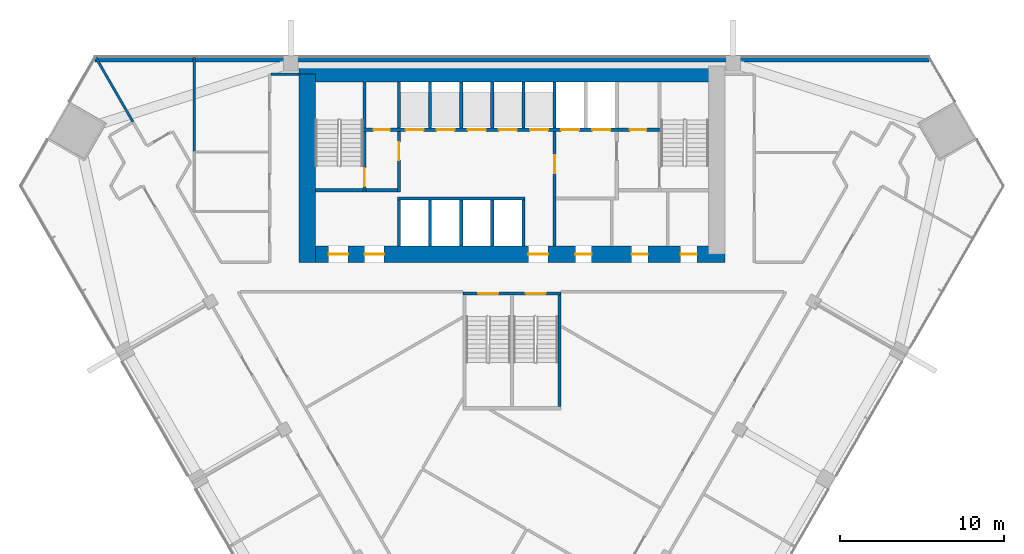
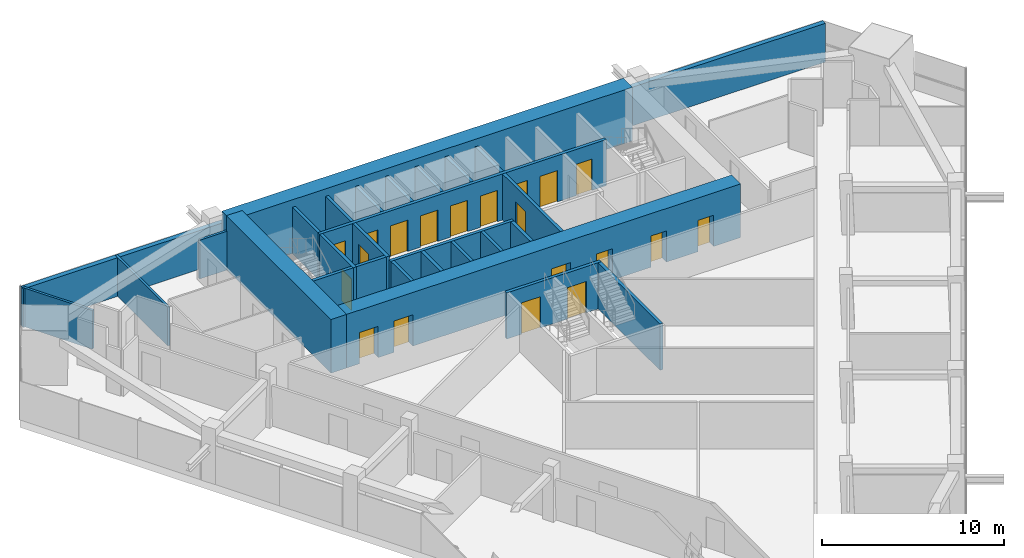
# One storey, part 10 of 13: 28 walls, 20 doors, 20 openings.
"""IFC4 building model written with IfcOpenShell, lengths in metres."""

import ifcopenshell
import ifcopenshell.guid

model = None  # the IFC model being written
_history = None  # IfcOwnerHistory: only IFC2X3 demands one
_inside = {}  # id of a spatial element -> (the spatial element, [elements in it])
_under = {}  # id of a project, library or spatial element -> (it, [spatial elements below it])
_declared = {}  # id of a project -> (the project, [libraries it declares])
_typed = {}  # id of a type object -> (the type object, [elements of that type])
_made_of = {}  # id of a material, layer set ... -> (it, [elements and type objects made of it])


def new_model(schema):
    """Start an empty IFC model of exactly this schema.

    Asked for "IFC4X3", IfcOpenShell would pick the latest addendum, in which some entities
    have other attributes; the version numbers below select the first issue.
    IFC2X3 requires an IfcOwnerHistory on every rooted entity: one is made here for all.
    """
    global model, _history
    if schema == "IFC4X3":
        model = ifcopenshell.file(schema_version=(4, 3, 0, 0))
    else:
        model = ifcopenshell.file(schema=schema)
    _inside.clear()
    _under.clear()
    _declared.clear()
    _typed.clear()
    _made_of.clear()
    _history = None
    if model.schema == "IFC2X3":
        org = make("IfcOrganization", Name="unknown")
        user = make(
            "IfcPersonAndOrganization",
            ThePerson=make("IfcPerson", FamilyName="unknown"),
            TheOrganization=org,
        )
        app = make(
            "IfcApplication",
            ApplicationDeveloper=org,
            Version="unknown",
            ApplicationFullName="unknown",
            ApplicationIdentifier="unknown",
        )
        _history = make(
            "IfcOwnerHistory",
            OwningUser=user,
            OwningApplication=app,
            ChangeAction="ADDED",
            CreationDate=0,
        )
    return model


def make(cls, **values):
    """One entity of the class cls with the attributes given. An attribute that is None is left unset."""
    return model.create_entity(
        cls, **{name: value for name, value in values.items() if value is not None}
    )


def rooted(cls, **values):
    """An entity with a GlobalId (a new one), such as an element, a storey or a relation."""
    return make(cls, GlobalId=ifcopenshell.guid.new(), OwnerHistory=_history, **values)


def si_unit(unit_type, name, prefix=None):
    """IfcSIUnit, for example si_unit("LENGTHUNIT", "METRE", prefix="MILLI")."""
    return make("IfcSIUnit", UnitType=unit_type, Prefix=prefix, Name=name)


def assignment(units):
    """IfcUnitAssignment: the units of a project."""
    return None if units is None else make("IfcUnitAssignment", Units=units)


def point(xyz):
    """IfcCartesianPoint."""
    return None if xyz is None else make("IfcCartesianPoint", Coordinates=xyz)


def direction(xyz):
    """IfcDirection."""
    return None if xyz is None else make("IfcDirection", DirectionRatios=xyz)


def frame(location, z_axis=None, x_axis=None):
    """IfcAxis2Placement3D, a coordinate frame: its origin and axes. An axis left out is left unset."""
    return make(
        "IfcAxis2Placement3D",
        Location=point(location),
        Axis=direction(z_axis),
        RefDirection=direction(x_axis),
    )


def frame_2d(location, x_axis=None):
    """IfcAxis2Placement2D, a coordinate frame in the plane: its origin and x axis."""
    return make(
        "IfcAxis2Placement2D", Location=point(location), RefDirection=direction(x_axis)
    )


def origin():
    """The frame at (0, 0, 0) with its axes left unset."""
    return frame((0.0, 0.0, 0.0))


def place(relative_to, where):
    """IfcLocalPlacement: puts the frame where relative to a parent placement (None: the world)."""
    return make(
        "IfcLocalPlacement", PlacementRelTo=relative_to, RelativePlacement=where
    )


def context(
    kind, dimensions, precision=None, world=None, true_north=None, identifier=None
):
    """IfcGeometricRepresentationContext, for example the 3D "Model" context."""
    return make(
        "IfcGeometricRepresentationContext",
        ContextIdentifier=identifier,
        ContextType=kind,
        CoordinateSpaceDimension=dimensions,
        Precision=precision,
        WorldCoordinateSystem=world,
        TrueNorth=true_north,
    )


def subcontext(parent, identifier, kind, view, scale=None):
    """IfcGeometricRepresentationSubContext, for example "Body" below "Model"."""
    return make(
        "IfcGeometricRepresentationSubContext",
        ContextIdentifier=identifier,
        ContextType=kind,
        ParentContext=parent,
        TargetScale=scale,
        TargetView=view,
    )


def project(units=None, contexts=None):
    """IfcProject with its units and contexts."""
    return rooted(
        "IfcProject",
        Name="project",
        RepresentationContexts=contexts,
        UnitsInContext=assignment(units),
    )


def spatial(cls, under=None, at=None, **own):
    """A site, building, storey or space (cls), placed at a placement, below another one or the project."""
    s = rooted(cls, ObjectPlacement=at, **own)
    if under is not None:
        _under.setdefault(under.id(), (under, []))[1].append(s)
    return s


def profile(cls, at=None, kind="AREA", **sizes):
    """A parametric profile (cls). Its sizes go by their IFC names, for example OverallWidth=200.0."""
    return make(cls, ProfileType=kind, Position=at, **sizes)


def rectangle(**sizes):
    """IfcRectangleProfileDef."""
    return profile("IfcRectangleProfileDef", **sizes)


def extrude(swept, where, along, depth):
    """IfcExtrudedAreaSolid: the profile swept, set in the frame where, extruded along a direction by depth."""
    return make(
        "IfcExtrudedAreaSolid",
        SweptArea=swept,
        Position=where,
        ExtrudedDirection=direction(along),
        Depth=depth,
    )


def shape(context_of_items, identifier, shape_type, items):
    """IfcShapeRepresentation: the items that make up one representation, for example the "Body"."""
    return make(
        "IfcShapeRepresentation",
        ContextOfItems=context_of_items,
        RepresentationIdentifier=identifier,
        RepresentationType=shape_type,
        Items=items,
    )


def material(Name=None, Category=None):
    """IfcMaterial."""
    return make("IfcMaterial", Name=Name, Category=Category)


def layer(
    of_material, thickness, ventilated=None, Name=None, Category=None, Priority=None
):
    """IfcMaterialLayer: one layer of a wall or slab, of a material (None: an air gap)."""
    return make(
        "IfcMaterialLayer",
        Material=of_material,
        LayerThickness=thickness,
        IsVentilated=ventilated,
        Name=Name,
        Category=Category,
        Priority=Priority,
    )


def layer_set(layers, Name=None):
    """IfcMaterialLayerSet."""
    return make("IfcMaterialLayerSet", MaterialLayers=layers, LayerSetName=Name)


def made_of(thing, what):
    """Note that an element or type object is made of a material, layer set ...; save() writes the relation."""
    if what is not None:
        _made_of.setdefault(what.id(), (what, []))[1].append(thing)
    return thing


def type_object(cls, material=None, **own):
    """A type object (cls), such as IfcWallType, which elements share."""
    return made_of(rooted(cls, **own), material)


def element(
    cls,
    number,
    at=None,
    inside=None,
    cuts=None,
    type_object=None,
    material=None,
    context=None,
    identifier="Body",
    shape_type=None,
    held_by="IfcProductDefinitionShape",
    body=None,
    shapes=None,
    **own,
):
    """One element of the class cls, such as IfcWall. Its Tag is "e" and its number.

    at: its placement. inside: the storey or other place that contains it. cuts: it is an
    opening in that element (IfcRelVoidsElement). A single representation is given by context,
    identifier, shape_type and body (its items); several are given by shapes. held_by: the class
    of the entity that holds the representations. save() writes the other relations.
    """
    e = rooted(cls, Tag="e%d" % number, ObjectPlacement=at, **own)
    if body is not None:
        shapes = [shape(context, identifier, shape_type, body)]
    if shapes is not None:
        e.Representation = make(held_by, Representations=shapes)
    if inside is not None:
        _inside.setdefault(inside.id(), (inside, []))[1].append(e)
    if cuts is not None:
        rooted(
            "IfcRelVoidsElement", RelatingBuildingElement=cuts, RelatedOpeningElement=e
        )
    if type_object is not None:
        _typed.setdefault(type_object.id(), (type_object, []))[1].append(e)
    return made_of(e, material)


def fill(opening, filler):
    """IfcRelFillsElement: the door or window that sits in an opening."""
    return rooted(
        "IfcRelFillsElement",
        RelatingOpeningElement=opening,
        RelatedBuildingElement=filler,
    )


def aggregate(whole, parts):
    """IfcRelAggregates: a whole, such as a stair, and the parts it consists of."""
    return rooted("IfcRelAggregates", RelatingObject=whole, RelatedObjects=parts)


def save(model, path):
    """Write the relations noted so far, then the file.

    IfcRelAggregates (storeys below a building ...), IfcRelContainedInSpatialStructure (elements
    in a storey), IfcRelDefinesByType, IfcRelAssociatesMaterial and IfcRelDeclares: one each for
    every whole, place, type object, material and project.
    """
    for whole, parts in _under.values():
        aggregate(whole, parts)
    for where, things in _inside.values():
        rooted(
            "IfcRelContainedInSpatialStructure",
            RelatedElements=things,
            RelatingStructure=where,
        )
    for kind, things in _typed.values():
        rooted("IfcRelDefinesByType", RelatedObjects=things, RelatingType=kind)
    for what, things in _made_of.values():
        rooted("IfcRelAssociatesMaterial", RelatedObjects=things, RelatingMaterial=what)
    for by, libraries in _declared.values():
        rooted("IfcRelDeclares", RelatingContext=by, RelatedDefinitions=libraries)
    model.write(path)


model = new_model("IFC4")

# Units and contexts
model_context = context("Model", 3, precision=1e-05, world=origin(), true_north=direction((0.0, 1.0)))
body_context = subcontext(model_context, "Body", "Model", "MODEL_VIEW")
ifc_project = project(units=[si_unit("LENGTHUNIT", "METRE"), si_unit("AREAUNIT", "SQUARE_METRE"), si_unit("VOLUMEUNIT", "CUBIC_METRE"), si_unit("PLANEANGLEUNIT", "RADIAN"), si_unit("MASSUNIT", "GRAM", prefix="KILO")], contexts=[model_context])

# Site, building, storey
site_placement = place(None, origin())
site = spatial("IfcSite", under=ifc_project, at=site_placement, CompositionType="ELEMENT")
building_placement = place(site_placement, origin())
building = spatial("IfcBuilding", under=site, at=building_placement, Name="Altiplano Prism Tower", CompositionType="ELEMENT")
storey_placement = place(building_placement, frame((0.0, 0.0, 66.60009765625)))
storey = spatial("IfcBuildingStorey", under=building, at=storey_placement, Name="L16", CompositionType="ELEMENT", Elevation=66.60009765625)

# Wall, openings, doors
ifc_material_1 = material(Name="Concrete C70/85", Category="concrete")
ifc_layer_1 = layer(ifc_material_1, 1.0)
ifc_layer_set_1 = layer_set([ifc_layer_1], Name="Concrete C70/85")
wall_type_1 = type_object("IfcWallType", Name="Core wall 1000", PredefinedType="SHEAR", material=ifc_layer_set_1)
wall_1_placement = place(storey_placement, frame((72.5, 92.89990234375, 0.0), z_axis=(0.0, 0.0, 1.0), x_axis=(1.0, 0.0, 0.0)))
wall_1 = element("IfcWall", 1, at=wall_1_placement, inside=storey, type_object=wall_type_1, Name="Core wall S L16", PredefinedType="SHEAR", context=body_context, shape_type="SweptSolid", body=[
    extrude(rectangle(XDim=25.5, YDim=1.0, at=frame_2d((12.75, 0.0))), origin(), (0.0, 0.0, 1.0), 3.599853515625),
])
opening_1_placement = place(wall_1_placement, frame((1.300048828125, 0.0, 0.0)))
opening_1 = element("IfcOpeningElement", 2, at=opening_1_placement, cuts=wall_1, Name="Opening D2806", PredefinedType="OPENING", context=body_context, shape_type="SweptSolid", body=[
    extrude(rectangle(XDim=1.199951171875, YDim=2.10009765625, at=frame_2d((0.60009765625, 1.050048828125))), frame((0.0, 0.510498046875, 0.0), z_axis=(0.0, -1.0, 0.0), x_axis=(1.0, 0.0, 0.0)), (0.0, 0.0, 1.0), 1.02099609375),
])
opening_2_placement = place(wall_1_placement, frame((3.5, 0.0, 0.0)))
opening_2 = element("IfcOpeningElement", 3, at=opening_2_placement, cuts=wall_1, Name="Opening D2807", PredefinedType="OPENING", context=body_context, shape_type="SweptSolid", body=[
    extrude(rectangle(XDim=1.199951171875, YDim=2.10009765625, at=frame_2d((0.60009765625, 1.050048828125))), frame((0.0, 0.510498046875, 0.0), z_axis=(0.0, -1.0, 0.0), x_axis=(1.0, 0.0, 0.0)), (0.0, 0.0, 1.0), 1.02099609375),
])
opening_3_placement = place(wall_1_placement, frame((13.5, 0.0, 0.0)))
opening_3 = element("IfcOpeningElement", 4, at=opening_3_placement, cuts=wall_1, Name="Opening D2808", PredefinedType="OPENING", context=body_context, shape_type="SweptSolid", body=[
    extrude(rectangle(XDim=1.199951171875, YDim=2.10009765625, at=frame_2d((0.60009765625, 1.050048828125))), frame((0.0, 0.510498046875, 0.0), z_axis=(0.0, -1.0, 0.0), x_axis=(1.0, 0.0, 0.0)), (0.0, 0.0, 1.0), 1.02099609375),
])
opening_4_placement = place(wall_1_placement, frame((16.362548828125, 0.0, 0.0)))
opening_4 = element("IfcOpeningElement", 5, at=opening_4_placement, cuts=wall_1, Name="Opening D2811", PredefinedType="OPENING", context=body_context, shape_type="SweptSolid", body=[
    extrude(rectangle(XDim=1.0, YDim=2.10009765625, at=frame_2d((0.5, 1.050048828125))), frame((0.0, 0.510498046875, 0.0), z_axis=(0.0, -1.0, 0.0), x_axis=(1.0, 0.0, 0.0)), (0.0, 0.0, 1.0), 1.02099609375),
])
opening_5_placement = place(wall_1_placement, frame((19.800048828125, 0.0, 0.0)))
opening_5 = element("IfcOpeningElement", 6, at=opening_5_placement, cuts=wall_1, Name="Opening D2812", PredefinedType="OPENING", context=body_context, shape_type="SweptSolid", body=[
    extrude(rectangle(XDim=1.0, YDim=2.10009765625, at=frame_2d((0.5, 1.050048828125))), frame((0.0, 0.510498046875, 0.0), z_axis=(0.0, -1.0, 0.0), x_axis=(1.0, 0.0, 0.0)), (0.0, 0.0, 1.0), 1.02099609375),
])
opening_6_placement = place(wall_1_placement, frame((22.78759765625, 0.0, 0.0)))
opening_6 = element("IfcOpeningElement", 7, at=opening_6_placement, cuts=wall_1, Name="Opening D2813", PredefinedType="OPENING", context=body_context, shape_type="SweptSolid", body=[
    extrude(rectangle(XDim=1.0, YDim=2.10009765625, at=frame_2d((0.5, 1.050048828125))), frame((0.0, 0.510498046875, 0.0), z_axis=(0.0, -1.0, 0.0), x_axis=(1.0, 0.0, 0.0)), (0.0, 0.0, 1.0), 1.02099609375),
])
ifc_material_2 = material(Name="Fire-rated steel door", Category="steel")
door_type_1 = type_object("IfcDoorType", Name="Core room door 1000 x 2100", OperationType="NOTDEFINED", PredefinedType="NOTDEFINED", material=ifc_material_2)
door_1_placement = place(opening_4_placement, origin())
door_1 = element("IfcDoor", 8, at=door_1_placement, inside=storey, type_object=door_type_1, Name="Core room door D2811", OperationType="SINGLE_SWING_RIGHT", OverallHeight=2.10009765625, OverallWidth=1.0, PredefinedType="NOTDEFINED", context=body_context, shape_type="SweptSolid", body=[
    extrude(rectangle(XDim=1.0, YDim=2.10009765625, at=frame_2d((0.5, 1.050048828125))), frame((0.0, 0.02490234375, 0.0), z_axis=(0.0, -1.0, 0.0), x_axis=(1.0, 0.0, 0.0)), (0.0, 0.0, 1.0), 0.050048828125),
])
fill(opening_4, door_1)
door_2_placement = place(opening_5_placement, origin())
door_2 = element("IfcDoor", 9, at=door_2_placement, inside=storey, type_object=door_type_1, Name="Core room door D2812", OperationType="SINGLE_SWING_LEFT", OverallHeight=2.10009765625, OverallWidth=1.0, PredefinedType="NOTDEFINED", context=body_context, shape_type="SweptSolid", body=[
    extrude(rectangle(XDim=1.0, YDim=2.10009765625, at=frame_2d((0.5, 1.050048828125))), frame((0.0, 0.02490234375, 0.0), z_axis=(0.0, -1.0, 0.0), x_axis=(1.0, 0.0, 0.0)), (0.0, 0.0, 1.0), 0.050048828125),
])
fill(opening_5, door_2)
door_3_placement = place(opening_6_placement, origin())
door_3 = element("IfcDoor", 10, at=door_3_placement, inside=storey, type_object=door_type_1, Name="Core room door D2813", OperationType="SINGLE_SWING_RIGHT", OverallHeight=2.10009765625, OverallWidth=1.0, PredefinedType="NOTDEFINED", context=body_context, shape_type="SweptSolid", body=[
    extrude(rectangle(XDim=1.0, YDim=2.10009765625, at=frame_2d((0.5, 1.050048828125))), frame((0.0, 0.02490234375, 0.0), z_axis=(0.0, -1.0, 0.0), x_axis=(1.0, 0.0, 0.0)), (0.0, 0.0, 1.0), 0.050048828125),
])
fill(opening_6, door_3)
door_type_2 = type_object("IfcDoorType", Name="Lobby fire door 1200 x 2100", OperationType="NOTDEFINED", PredefinedType="NOTDEFINED", material=ifc_material_2)
door_4_placement = place(opening_1_placement, origin())
door_4 = element("IfcDoor", 11, at=door_4_placement, inside=storey, type_object=door_type_2, Name="Lobby fire door D2806", OperationType="SINGLE_SWING_RIGHT", OverallHeight=2.10009765625, OverallWidth=1.199951171875, PredefinedType="NOTDEFINED", context=body_context, shape_type="SweptSolid", body=[
    extrude(rectangle(XDim=1.199951171875, YDim=2.10009765625, at=frame_2d((0.60009765625, 1.050048828125))), frame((0.0, 0.02490234375, 0.0), z_axis=(0.0, -1.0, 0.0), x_axis=(1.0, 0.0, 0.0)), (0.0, 0.0, 1.0), 0.050048828125),
])
fill(opening_1, door_4)
door_5_placement = place(opening_2_placement, origin())
door_5 = element("IfcDoor", 12, at=door_5_placement, inside=storey, type_object=door_type_2, Name="Lobby fire door D2807", OperationType="SINGLE_SWING_LEFT", OverallHeight=2.10009765625, OverallWidth=1.199951171875, PredefinedType="NOTDEFINED", context=body_context, shape_type="SweptSolid", body=[
    extrude(rectangle(XDim=1.199951171875, YDim=2.10009765625, at=frame_2d((0.60009765625, 1.050048828125))), frame((0.0, 0.02490234375, 0.0), z_axis=(0.0, -1.0, 0.0), x_axis=(1.0, 0.0, 0.0)), (0.0, 0.0, 1.0), 0.050048828125),
])
fill(opening_2, door_5)
door_6_placement = place(opening_3_placement, origin())
door_6 = element("IfcDoor", 13, at=door_6_placement, inside=storey, type_object=door_type_2, Name="Lobby fire door D2808", OperationType="SINGLE_SWING_RIGHT", OverallHeight=2.10009765625, OverallWidth=1.199951171875, PredefinedType="NOTDEFINED", context=body_context, shape_type="SweptSolid", body=[
    extrude(rectangle(XDim=1.199951171875, YDim=2.10009765625, at=frame_2d((0.60009765625, 1.050048828125))), frame((0.0, 0.02490234375, 0.0), z_axis=(0.0, -1.0, 0.0), x_axis=(1.0, 0.0, 0.0)), (0.0, 0.0, 1.0), 0.050048828125),
])
fill(opening_3, door_6)

# Walls
wall_2_placement = place(storey_placement, frame((97.5, 103.89990234375, 0.0), z_axis=(0.0, 0.0, 1.0), x_axis=(-1.0, 0.0, 0.0)))
element("IfcWall", 14, at=wall_2_placement, inside=storey, type_object=wall_type_1, Name="Core wall N L16", PredefinedType="SHEAR", context=body_context, shape_type="SweptSolid", body=[
    extrude(rectangle(XDim=25.5, YDim=1.0, at=frame_2d((12.75, 0.0))), origin(), (0.0, 0.0, 1.0), 3.599853515625),
])
wall_3_placement = place(storey_placement, frame((72.5, 103.89990234375, 0.0), z_axis=(0.0, 0.0, 1.0), x_axis=(0.0, -1.0, 0.0)))
element("IfcWall", 15, at=wall_3_placement, inside=storey, type_object=wall_type_1, Name="Core wall W L16", PredefinedType="SHEAR", context=body_context, shape_type="SweptSolid", body=[
    extrude(rectangle(XDim=11.5, YDim=1.0, at=frame_2d((5.75, 0.0))), origin(), (0.0, 0.0, 1.0), 3.599853515625),
])
ifc_material_3 = material(Name="Plasterboard on steel stud", Category="steel")
ifc_layer_2 = layer(ifc_material_3, 0.14990234375)
ifc_layer_set_2 = layer_set([ifc_layer_2], Name="Plasterboard on steel stud")
wall_type_2 = type_object("IfcWallType", Name="Partition 150 corridor", PredefinedType="PARTITIONING", material=ifc_layer_set_2)
wall_4_placement = place(storey_placement, frame((72.0, 103.89990234375, 0.0), z_axis=(0.0, 0.0, 1.0), x_axis=(-1.0, 0.0, 0.0)))
element("IfcWall", 16, at=wall_4_placement, inside=storey, type_object=wall_type_2, Name="Partition P06 L16 008", PredefinedType="PARTITIONING", context=body_context, shape_type="SweptSolid", body=[
    extrude(rectangle(XDim=1.72509765625, YDim=0.14990234375, at=frame_2d((0.862548828125, 0.0))), origin(), (0.0, 0.0, 1.0), 2.599853515625),
])
ifc_layer_3 = layer(ifc_material_3, 0.14990234375)
ifc_layer_set_3 = layer_set([ifc_layer_3], Name="Plasterboard on steel stud")
wall_type_3 = type_object("IfcWallType", Name="Partition 150 party", PredefinedType="PARTITIONING", material=ifc_layer_set_3)
wall_5_placement = place(storey_placement, frame((65.60400390625, 99.147705078125, 0.0), z_axis=(0.0, 0.0, 1.0), x_axis=(0.0, 1.0, 0.0)))
element("IfcWall", 17, at=wall_5_placement, inside=storey, type_object=wall_type_3, Name="Partition P01 L16 038", PredefinedType="PARTITIONING", context=body_context, shape_type="SweptSolid", body=[
    extrude(rectangle(XDim=5.752197265625, YDim=0.14990234375, at=frame_2d((2.8759765625, 0.0))), origin(), (0.0, 0.0, 1.0), 2.599853515625),
])
wall_6_placement = place(storey_placement, frame((59.59765625, 104.89990234375, 0.0), z_axis=(0.0, 0.0, 1.0), x_axis=(0.500023773789, -0.866011677546, 0.0)))
element("IfcWall", 18, at=wall_6_placement, inside=storey, type_object=wall_type_3, Name="Partition P01 L16 039", PredefinedType="PARTITIONING", context=body_context, shape_type="SweptSolid", body=[
    extrude(rectangle(XDim=4.535400390625, YDim=0.14990234375, at=frame_2d((2.267578125, 0.0))), origin(), (0.0, 0.0, 1.0), 2.599853515625),
])
ifc_material_4 = material(Name="Concrete C60/75", Category="concrete")
ifc_layer_4 = layer(ifc_material_4, 0.199951171875)
ifc_layer_set_4 = layer_set([ifc_layer_4], Name="Concrete C60/75")
wall_type_4 = type_object("IfcWallType", Name="Shaft wall 200", PredefinedType="SOLIDWALL", material=ifc_layer_set_4)
for number, where, z_axis, x_axis, name in (
    (19, (78.10009765625, 93.39990234375, 0.0), (0.0, 0.0, 1.0), (0.0, 1.0, 0.0), "Shaft wall L16"),
    (20, (80.0, 93.39990234375, 0.0), (0.0, 0.0, 1.0), (0.0, 1.0, 0.0), "Shaft wall L16"),
    (21, (81.89990234375, 93.39990234375, 0.0), (0.0, 0.0, 1.0), (0.0, 1.0, 0.0), "Shaft wall L16"),
    (22, (83.800048828125, 93.39990234375, 0.0), (0.0, 0.0, 1.0), (0.0, 1.0, 0.0), "Shaft wall L16"),
    (23, (85.699951171875, 93.39990234375, 0.0), (0.0, 0.0, 1.0), (0.0, 1.0, 0.0), "Shaft wall L16"),
):
    element("IfcWall", number, at=place(storey_placement, frame(where, z_axis=z_axis, x_axis=x_axis)), inside=storey, type_object=wall_type_4, Name=name, PredefinedType="SOLIDWALL", context=body_context, shape_type="SweptSolid", body=[
        extrude(rectangle(XDim=2.800048828125, YDim=0.199951171875, at=frame_2d((1.39990234375, 0.0))), origin(), (0.0, 0.0, 1.0), 3.099853515625),
    ])
wall_7_placement = place(storey_placement, frame((78.0, 96.300048828125, 0.0), z_axis=(0.0, 0.0, 1.0), x_axis=(1.0, 0.0, 0.0)))
element("IfcWall", 24, at=wall_7_placement, inside=storey, type_object=wall_type_4, Name="Shaft wall L16", PredefinedType="SOLIDWALL", context=body_context, shape_type="SweptSolid", body=[
    extrude(rectangle(XDim=7.800048828125, YDim=0.199951171875, at=frame_2d((3.89990234375, 0.0))), origin(), (0.0, 0.0, 1.0), 3.099853515625),
])
for number, where, z_axis, x_axis, name in (
    (25, (78.10009765625, 100.60009765625, 0.0), (0.0, 0.0, 1.0), (0.0, 1.0, 0.0), "Shaft wall L16"),
    (26, (80.0, 100.60009765625, 0.0), (0.0, 0.0, 1.0), (0.0, 1.0, 0.0), "Shaft wall L16"),
    (27, (81.89990234375, 100.60009765625, 0.0), (0.0, 0.0, 1.0), (0.0, 1.0, 0.0), "Shaft wall L16"),
    (28, (83.800048828125, 100.60009765625, 0.0), (0.0, 0.0, 1.0), (0.0, 1.0, 0.0), "Shaft wall L16"),
    (29, (85.699951171875, 100.60009765625, 0.0), (0.0, 0.0, 1.0), (0.0, 1.0, 0.0), "Shaft wall L16"),
    (30, (87.60009765625, 100.60009765625, 0.0), (0.0, 0.0, 1.0), (0.0, 1.0, 0.0), "Shaft wall L16"),
):
    element("IfcWall", number, at=place(storey_placement, frame(where, z_axis=z_axis, x_axis=x_axis)), inside=storey, type_object=wall_type_4, Name=name, PredefinedType="SOLIDWALL", context=body_context, shape_type="SweptSolid", body=[
        extrude(rectangle(XDim=2.7998046875, YDim=0.199951171875, at=frame_2d((1.39990234375, 0.0))), origin(), (0.0, 0.0, 1.0), 3.099853515625),
    ])
ifc_layer_5 = layer(ifc_material_4, 0.199951171875)
ifc_layer_set_5 = layer_set([ifc_layer_5], Name="Concrete C60/75")
wall_type_5 = type_object("IfcWallType", Name="Stair wall 200", PredefinedType="SOLIDWALL", material=ifc_layer_set_5)
wall_8_placement = place(storey_placement, frame((73.0, 96.800048828125, 0.0), z_axis=(0.0, 0.0, 1.0), x_axis=(1.0, 0.0, 0.0)))
element("IfcWall", 31, at=wall_8_placement, inside=storey, type_object=wall_type_5, Name="Stair wall L16", PredefinedType="SOLIDWALL", context=body_context, shape_type="SweptSolid", body=[
    extrude(rectangle(XDim=2.89990234375, YDim=0.199951171875, at=frame_2d((1.449951171875, 0.0))), origin(), (0.0, 0.0, 1.0), 3.099853515625),
])

# Wall, opening, door
wall_9_placement = place(storey_placement, frame((76.0, 96.699951171875, 0.0), z_axis=(0.0, 0.0, 1.0), x_axis=(0.0, 1.0, 0.0)))
wall_9 = element("IfcWall", 32, at=wall_9_placement, inside=storey, type_object=wall_type_5, Name="Stair wall L16", PredefinedType="SOLIDWALL", context=body_context, shape_type="SweptSolid", body=[
    extrude(rectangle(XDim=3.699951171875, YDim=0.199951171875, at=frame_2d((1.85009765625, 0.0))), origin(), (0.0, 0.0, 1.0), 3.099853515625),
])
opening_7_placement = place(wall_9_placement, frame((0.35009765625, 0.0, 0.0)))
opening_7 = element("IfcOpeningElement", 33, at=opening_7_placement, cuts=wall_9, Name="Opening D2801", PredefinedType="OPENING", context=body_context, shape_type="SweptSolid", body=[
    extrude(rectangle(XDim=1.10009765625, YDim=2.10009765625, at=frame_2d((0.550048828125, 1.050048828125))), frame((0.0, 0.1103515625, 0.0), z_axis=(0.0, -1.0, 0.0), x_axis=(1.0, 0.0, 0.0)), (0.0, 0.0, 1.0), 0.220947265625),
])
door_type_3 = type_object("IfcDoorType", Name="Stair fire door 1100 x 2100", OperationType="NOTDEFINED", PredefinedType="NOTDEFINED", material=ifc_material_2)
door_7_placement = place(opening_7_placement, origin())
door_7 = element("IfcDoor", 34, at=door_7_placement, inside=storey, type_object=door_type_3, Name="Stair fire door D2801", OperationType="SINGLE_SWING_RIGHT", OverallHeight=2.10009765625, OverallWidth=1.10009765625, PredefinedType="NOTDEFINED", context=body_context, shape_type="SweptSolid", body=[
    extrude(rectangle(XDim=1.10009765625, YDim=2.10009765625, at=frame_2d((0.550048828125, 1.050048828125))), frame((0.0, 0.02490234375, 0.0), z_axis=(0.0, -1.0, 0.0), x_axis=(1.0, 0.0, 0.0)), (0.0, 0.0, 1.0), 0.050048828125),
])
fill(opening_7, door_7)

# Wall, openings, doors
wall_10_placement = place(storey_placement, frame((75.89990234375, 100.5, 0.0), z_axis=(0.0, 0.0, 1.0), x_axis=(1.0, 0.0, 0.0)))
wall_10 = element("IfcWall", 35, at=wall_10_placement, inside=storey, type_object=wall_type_5, Name="Stair wall L16", PredefinedType="SOLIDWALL", context=body_context, shape_type="SweptSolid", body=[
    extrude(rectangle(XDim=18.2001953125, YDim=0.199951171875, at=frame_2d((9.10009765625, 0.0))), origin(), (0.0, 0.0, 1.0), 3.099853515625),
])
opening_8_placement = place(wall_10_placement, frame((2.60009765625, 0.0, 0.0)))
opening_8 = element("IfcOpeningElement", 36, at=opening_8_placement, cuts=wall_10, Name="Opening LD-LL1-L16", PredefinedType="OPENING", context=body_context, shape_type="SweptSolid", body=[
    extrude(rectangle(XDim=1.10009765625, YDim=2.10009765625, at=frame_2d((0.550048828125, 1.050048828125))), frame((0.0, 0.1103515625, 0.0), z_axis=(0.0, -1.0, 0.0), x_axis=(1.0, 0.0, 0.0)), (0.0, 0.0, 1.0), 0.220947265625),
])
opening_9_placement = place(wall_10_placement, frame((4.5, 0.0, 0.0)))
opening_9 = element("IfcOpeningElement", 37, at=opening_9_placement, cuts=wall_10, Name="Opening LD-LL2-L16", PredefinedType="OPENING", context=body_context, shape_type="SweptSolid", body=[
    extrude(rectangle(XDim=1.10009765625, YDim=2.10009765625, at=frame_2d((0.550048828125, 1.050048828125))), frame((0.0, 0.1103515625, 0.0), z_axis=(0.0, -1.0, 0.0), x_axis=(1.0, 0.0, 0.0)), (0.0, 0.0, 1.0), 0.220947265625),
])
opening_10_placement = place(wall_10_placement, frame((6.39990234375, 0.0, 0.0)))
opening_10 = element("IfcOpeningElement", 38, at=opening_10_placement, cuts=wall_10, Name="Opening LD-LL3-L16", PredefinedType="OPENING", context=body_context, shape_type="SweptSolid", body=[
    extrude(rectangle(XDim=1.10009765625, YDim=2.10009765625, at=frame_2d((0.550048828125, 1.050048828125))), frame((0.0, 0.1103515625, 0.0), z_axis=(0.0, -1.0, 0.0), x_axis=(1.0, 0.0, 0.0)), (0.0, 0.0, 1.0), 0.220947265625),
])
opening_11_placement = place(wall_10_placement, frame((8.300048828125, 0.0, 0.0)))
opening_11 = element("IfcOpeningElement", 39, at=opening_11_placement, cuts=wall_10, Name="Opening LD-LL4-L16", PredefinedType="OPENING", context=body_context, shape_type="SweptSolid", body=[
    extrude(rectangle(XDim=1.10009765625, YDim=2.10009765625, at=frame_2d((0.550048828125, 1.050048828125))), frame((0.0, 0.1103515625, 0.0), z_axis=(0.0, -1.0, 0.0), x_axis=(1.0, 0.0, 0.0)), (0.0, 0.0, 1.0), 0.220947265625),
])
opening_12_placement = place(wall_10_placement, frame((10.199951171875, 0.0, 0.0)))
opening_12 = element("IfcOpeningElement", 40, at=opening_12_placement, cuts=wall_10, Name="Opening LD-LL5-L16", PredefinedType="OPENING", context=body_context, shape_type="SweptSolid", body=[
    extrude(rectangle(XDim=1.10009765625, YDim=2.10009765625, at=frame_2d((0.550048828125, 1.050048828125))), frame((0.0, 0.1103515625, 0.0), z_axis=(0.0, -1.0, 0.0), x_axis=(1.0, 0.0, 0.0)), (0.0, 0.0, 1.0), 0.220947265625),
])
opening_13_placement = place(wall_10_placement, frame((12.10009765625, 0.0, 0.0)))
opening_13 = element("IfcOpeningElement", 41, at=opening_13_placement, cuts=wall_10, Name="Opening LD-FF1-L16", PredefinedType="OPENING", context=body_context, shape_type="SweptSolid", body=[
    extrude(rectangle(XDim=1.10009765625, YDim=2.10009765625, at=frame_2d((0.550048828125, 1.050048828125))), frame((0.0, 0.1103515625, 0.0), z_axis=(0.0, -1.0, 0.0), x_axis=(1.0, 0.0, 0.0)), (0.0, 0.0, 1.0), 0.220947265625),
])
opening_14_placement = place(wall_10_placement, frame((14.0, 0.0, 0.0)))
opening_14 = element("IfcOpeningElement", 42, at=opening_14_placement, cuts=wall_10, Name="Opening LD-FF2-L16", PredefinedType="OPENING", context=body_context, shape_type="SweptSolid", body=[
    extrude(rectangle(XDim=1.10009765625, YDim=2.10009765625, at=frame_2d((0.550048828125, 1.050048828125))), frame((0.0, 0.1103515625, 0.0), z_axis=(0.0, -1.0, 0.0), x_axis=(1.0, 0.0, 0.0)), (0.0, 0.0, 1.0), 0.220947265625),
])
opening_15_placement = place(wall_10_placement, frame((0.64990234375, 0.0, 0.0)))
opening_15 = element("IfcOpeningElement", 43, at=opening_15_placement, cuts=wall_10, Name="Opening D2809", PredefinedType="OPENING", context=body_context, shape_type="SweptSolid", body=[
    extrude(rectangle(XDim=1.0, YDim=2.10009765625, at=frame_2d((0.5, 1.050048828125))), frame((0.0, 0.1103515625, 0.0), z_axis=(0.0, -1.0, 0.0), x_axis=(1.0, 0.0, 0.0)), (0.0, 0.0, 1.0), 0.220947265625),
])
opening_16_placement = place(wall_10_placement, frame((16.300048828125, 0.0, 0.0)))
opening_16 = element("IfcOpeningElement", 44, at=opening_16_placement, cuts=wall_10, Name="Opening D2810", PredefinedType="OPENING", context=body_context, shape_type="SweptSolid", body=[
    extrude(rectangle(XDim=1.0, YDim=2.10009765625, at=frame_2d((0.5, 1.050048828125))), frame((0.0, 0.1103515625, 0.0), z_axis=(0.0, -1.0, 0.0), x_axis=(1.0, 0.0, 0.0)), (0.0, 0.0, 1.0), 0.220947265625),
])
door_8_placement = place(opening_15_placement, origin())
door_8 = element("IfcDoor", 45, at=door_8_placement, inside=storey, type_object=door_type_1, Name="Core room door D2809", OperationType="SINGLE_SWING_LEFT", OverallHeight=2.10009765625, OverallWidth=1.0, PredefinedType="NOTDEFINED", context=body_context, shape_type="SweptSolid", body=[
    extrude(rectangle(XDim=1.0, YDim=2.10009765625, at=frame_2d((0.5, 1.050048828125))), frame((0.0, 0.02490234375, 0.0), z_axis=(0.0, -1.0, 0.0), x_axis=(1.0, 0.0, 0.0)), (0.0, 0.0, 1.0), 0.050048828125),
])
fill(opening_15, door_8)
door_9_placement = place(opening_16_placement, origin())
door_9 = element("IfcDoor", 46, at=door_9_placement, inside=storey, type_object=door_type_1, Name="Core room door D2810", OperationType="SINGLE_SWING_RIGHT", OverallHeight=2.10009765625, OverallWidth=1.0, PredefinedType="NOTDEFINED", context=body_context, shape_type="SweptSolid", body=[
    extrude(rectangle(XDim=1.0, YDim=2.10009765625, at=frame_2d((0.5, 1.050048828125))), frame((0.0, 0.02490234375, 0.0), z_axis=(0.0, -1.0, 0.0), x_axis=(1.0, 0.0, 0.0)), (0.0, 0.0, 1.0), 0.050048828125),
])
fill(opening_16, door_9)
ifc_material_5 = material(Name="Stainless steel landing door", Category="steel")
door_type_4 = type_object("IfcDoorType", Name="Landing door 1100 x 2100", OperationType="NOTDEFINED", PredefinedType="NOTDEFINED", material=ifc_material_5)
door_10_placement = place(opening_8_placement, origin())
door_10 = element("IfcDoor", 47, at=door_10_placement, inside=storey, type_object=door_type_4, Name="Landing doors LL1", OperationType="SLIDING_TO_RIGHT", OverallHeight=2.10009765625, OverallWidth=1.10009765625, PredefinedType="NOTDEFINED", context=body_context, shape_type="SweptSolid", body=[
    extrude(rectangle(XDim=1.10009765625, YDim=2.10009765625, at=frame_2d((0.550048828125, 1.050048828125))), frame((0.0, 0.02490234375, 0.0), z_axis=(0.0, -1.0, 0.0), x_axis=(1.0, 0.0, 0.0)), (0.0, 0.0, 1.0), 0.050048828125),
])
fill(opening_8, door_10)
door_11_placement = place(opening_9_placement, origin())
door_11 = element("IfcDoor", 48, at=door_11_placement, inside=storey, type_object=door_type_4, Name="Landing doors LL2", OperationType="SLIDING_TO_LEFT", OverallHeight=2.10009765625, OverallWidth=1.10009765625, PredefinedType="NOTDEFINED", context=body_context, shape_type="SweptSolid", body=[
    extrude(rectangle(XDim=1.10009765625, YDim=2.10009765625, at=frame_2d((0.550048828125, 1.050048828125))), frame((0.0, 0.02490234375, 0.0), z_axis=(0.0, -1.0, 0.0), x_axis=(1.0, 0.0, 0.0)), (0.0, 0.0, 1.0), 0.050048828125),
])
fill(opening_9, door_11)
door_12_placement = place(opening_10_placement, origin())
door_12 = element("IfcDoor", 49, at=door_12_placement, inside=storey, type_object=door_type_4, Name="Landing doors LL3", OperationType="SLIDING_TO_RIGHT", OverallHeight=2.10009765625, OverallWidth=1.10009765625, PredefinedType="NOTDEFINED", context=body_context, shape_type="SweptSolid", body=[
    extrude(rectangle(XDim=1.10009765625, YDim=2.10009765625, at=frame_2d((0.550048828125, 1.050048828125))), frame((0.0, 0.02490234375, 0.0), z_axis=(0.0, -1.0, 0.0), x_axis=(1.0, 0.0, 0.0)), (0.0, 0.0, 1.0), 0.050048828125),
])
fill(opening_10, door_12)
door_13_placement = place(opening_11_placement, origin())
door_13 = element("IfcDoor", 50, at=door_13_placement, inside=storey, type_object=door_type_4, Name="Landing doors LL4", OperationType="SLIDING_TO_LEFT", OverallHeight=2.10009765625, OverallWidth=1.10009765625, PredefinedType="NOTDEFINED", context=body_context, shape_type="SweptSolid", body=[
    extrude(rectangle(XDim=1.10009765625, YDim=2.10009765625, at=frame_2d((0.550048828125, 1.050048828125))), frame((0.0, 0.02490234375, 0.0), z_axis=(0.0, -1.0, 0.0), x_axis=(1.0, 0.0, 0.0)), (0.0, 0.0, 1.0), 0.050048828125),
])
fill(opening_11, door_13)
door_14_placement = place(opening_12_placement, origin())
door_14 = element("IfcDoor", 51, at=door_14_placement, inside=storey, type_object=door_type_4, Name="Landing doors LL5", OperationType="SLIDING_TO_RIGHT", OverallHeight=2.10009765625, OverallWidth=1.10009765625, PredefinedType="NOTDEFINED", context=body_context, shape_type="SweptSolid", body=[
    extrude(rectangle(XDim=1.10009765625, YDim=2.10009765625, at=frame_2d((0.550048828125, 1.050048828125))), frame((0.0, 0.02490234375, 0.0), z_axis=(0.0, -1.0, 0.0), x_axis=(1.0, 0.0, 0.0)), (0.0, 0.0, 1.0), 0.050048828125),
])
fill(opening_12, door_14)
door_15_placement = place(opening_13_placement, origin())
door_15 = element("IfcDoor", 52, at=door_15_placement, inside=storey, type_object=door_type_4, Name="Landing doors FF1", OperationType="SLIDING_TO_RIGHT", OverallHeight=2.10009765625, OverallWidth=1.10009765625, PredefinedType="NOTDEFINED", context=body_context, shape_type="SweptSolid", body=[
    extrude(rectangle(XDim=1.10009765625, YDim=2.10009765625, at=frame_2d((0.550048828125, 1.050048828125))), frame((0.0, 0.02490234375, 0.0), z_axis=(0.0, -1.0, 0.0), x_axis=(1.0, 0.0, 0.0)), (0.0, 0.0, 1.0), 0.050048828125),
])
fill(opening_13, door_15)
door_16_placement = place(opening_14_placement, origin())
door_16 = element("IfcDoor", 53, at=door_16_placement, inside=storey, type_object=door_type_4, Name="Landing doors FF2", OperationType="SLIDING_TO_LEFT", OverallHeight=2.10009765625, OverallWidth=1.10009765625, PredefinedType="NOTDEFINED", context=body_context, shape_type="SweptSolid", body=[
    extrude(rectangle(XDim=1.10009765625, YDim=2.10009765625, at=frame_2d((0.550048828125, 1.050048828125))), frame((0.0, 0.02490234375, 0.0), z_axis=(0.0, -1.0, 0.0), x_axis=(1.0, 0.0, 0.0)), (0.0, 0.0, 1.0), 0.050048828125),
])
fill(opening_14, door_16)

# Wall
wall_11_placement = place(storey_placement, frame((76.0, 100.60009765625, 0.0), z_axis=(0.0, 0.0, 1.0), x_axis=(0.0, 1.0, 0.0)))
element("IfcWall", 54, at=wall_11_placement, inside=storey, type_object=wall_type_5, Name="Stair wall L16", PredefinedType="SOLIDWALL", context=body_context, shape_type="SweptSolid", body=[
    extrude(rectangle(XDim=2.7998046875, YDim=0.199951171875, at=frame_2d((1.39990234375, 0.0))), origin(), (0.0, 0.0, 1.0), 3.099853515625),
])

# Wall, openings, doors
wall_12_placement = place(storey_placement, frame((82.0, 90.5, 0.0), z_axis=(0.0, 0.0, 1.0), x_axis=(1.0, 0.0, 0.0)))
wall_12 = element("IfcWall", 55, at=wall_12_placement, inside=storey, type_object=wall_type_5, Name="Stair 3 wall north L16", PredefinedType="SOLIDWALL", context=body_context, shape_type="SweptSolid", body=[
    extrude(rectangle(XDim=6.0, YDim=0.199951171875, at=frame_2d((3.0, 0.0))), origin(), (0.0, 0.0, 1.0), 3.099853515625),
])
opening_17_placement = place(wall_12_placement, frame((0.949951171875, 0.0, 0.0)))
opening_17 = element("IfcOpeningElement", 56, at=opening_17_placement, cuts=wall_12, Name="Opening D3954", PredefinedType="OPENING", context=body_context, shape_type="SweptSolid", body=[
    extrude(rectangle(XDim=1.199951171875, YDim=2.10009765625, at=frame_2d((0.60009765625, 1.050048828125))), frame((0.0, 0.1103515625, 0.0), z_axis=(0.0, -1.0, 0.0), x_axis=(1.0, 0.0, 0.0)), (0.0, 0.0, 1.0), 0.220947265625),
])
opening_18_placement = place(wall_12_placement, frame((3.85009765625, 0.0, 0.0)))
opening_18 = element("IfcOpeningElement", 57, at=opening_18_placement, cuts=wall_12, Name="Opening D3955", PredefinedType="OPENING", context=body_context, shape_type="SweptSolid", body=[
    extrude(rectangle(XDim=1.199951171875, YDim=2.10009765625, at=frame_2d((0.60009765625, 1.050048828125))), frame((0.0, 0.1103515625, 0.0), z_axis=(0.0, -1.0, 0.0), x_axis=(1.0, 0.0, 0.0)), (0.0, 0.0, 1.0), 0.220947265625),
])
door_type_5 = type_object("IfcDoorType", Name="Stair fire door 1200 x 2100", OperationType="NOTDEFINED", PredefinedType="NOTDEFINED", material=ifc_material_2)
door_17_placement = place(opening_17_placement, origin())
door_17 = element("IfcDoor", 58, at=door_17_placement, inside=storey, type_object=door_type_5, Name="Stair fire door D3954", OperationType="SINGLE_SWING_LEFT", OverallHeight=2.10009765625, OverallWidth=1.199951171875, PredefinedType="NOTDEFINED", context=body_context, shape_type="SweptSolid", body=[
    extrude(rectangle(XDim=1.199951171875, YDim=2.10009765625, at=frame_2d((0.60009765625, 1.050048828125))), frame((0.0, 0.02490234375, 0.0), z_axis=(0.0, -1.0, 0.0), x_axis=(1.0, 0.0, 0.0)), (0.0, 0.0, 1.0), 0.050048828125),
])
fill(opening_17, door_17)
door_18_placement = place(opening_18_placement, origin())
door_18 = element("IfcDoor", 59, at=door_18_placement, inside=storey, type_object=door_type_5, Name="Stair fire door D3955", OperationType="SINGLE_SWING_LEFT", OverallHeight=2.10009765625, OverallWidth=1.199951171875, PredefinedType="NOTDEFINED", context=body_context, shape_type="SweptSolid", body=[
    extrude(rectangle(XDim=1.199951171875, YDim=2.10009765625, at=frame_2d((0.60009765625, 1.050048828125))), frame((0.0, 0.02490234375, 0.0), z_axis=(0.0, -1.0, 0.0), x_axis=(1.0, 0.0, 0.0)), (0.0, 0.0, 1.0), 0.050048828125),
])
fill(opening_18, door_18)

# Walls
wall_13_placement = place(storey_placement, frame((87.89990234375, 83.60009765625, 0.0), z_axis=(0.0, 0.0, 1.0), x_axis=(0.0, 1.0, 0.0)))
element("IfcWall", 60, at=wall_13_placement, inside=storey, type_object=wall_type_5, Name="Stair 3 wall east L16", PredefinedType="SOLIDWALL", context=body_context, shape_type="SweptSolid", body=[
    extrude(rectangle(XDim=6.7998046875, YDim=0.199951171875, at=frame_2d((3.39990234375, 0.0))), origin(), (0.0, 0.0, 1.0), 3.099853515625),
])
ifc_material_6 = material(Name="Concrete C40", Category="concrete")
ifc_layer_6 = layer(ifc_material_6, 0.300048828125)
ifc_layer_set_6 = layer_set([ifc_layer_6], Name="Concrete C40")
wall_type_6 = type_object("IfcWallType", Name="Stone-clad external wall 300", PredefinedType="SOLIDWALL", material=ifc_layer_set_6)
wall_14_placement = place(storey_placement, frame((59.5400390625, 104.7900390625, 0.0), z_axis=(0.0, 0.0, 1.0), x_axis=(1.0, 0.0, 0.0)))
element("IfcWall", 61, at=wall_14_placement, inside=storey, type_object=wall_type_6, Name="External wall north face L16", PredefinedType="SOLIDWALL", context=body_context, shape_type="SweptSolid", body=[
    extrude(rectangle(XDim=50.919921875, YDim=0.300048828125, at=frame_2d((25.4599609375, 0.0))), origin(), (0.0, 0.0, 1.0), 2.599853515625),
])

# Wall, opening, door
ifc_layer_7 = layer(ifc_material_4, 0.199951171875)
ifc_layer_set_7 = layer_set([ifc_layer_7], Name="Concrete C60/75")
wall_type_7 = type_object("IfcWallType", Name="Vestibule wall 200", PredefinedType="PARTITIONING", material=ifc_layer_set_7)
wall_15_placement = place(storey_placement, frame((87.60009765625, 93.39990234375, 0.0), z_axis=(0.0, 0.0, 1.0), x_axis=(0.0, 1.0, 0.0)))
wall_15 = element("IfcWall", 62, at=wall_15_placement, inside=storey, type_object=wall_type_7, Name="Vestibule wall L16", PredefinedType="PARTITIONING", context=body_context, shape_type="SweptSolid", body=[
    extrude(rectangle(XDim=7.0, YDim=0.199951171875, at=frame_2d((3.5, 0.0))), origin(), (0.0, 0.0, 1.0), 3.099853515625),
])
opening_19_placement = place(wall_15_placement, frame((4.449951171875, 0.0, 0.0)))
opening_19 = element("IfcOpeningElement", 63, at=opening_19_placement, cuts=wall_15, Name="Opening D2804", PredefinedType="OPENING", context=body_context, shape_type="SweptSolid", body=[
    extrude(rectangle(XDim=1.10009765625, YDim=2.10009765625, at=frame_2d((0.550048828125, 1.050048828125))), frame((0.0, 0.1103515625, 0.0), z_axis=(0.0, -1.0, 0.0), x_axis=(1.0, 0.0, 0.0)), (0.0, 0.0, 1.0), 0.220947265625),
])
door_type_6 = type_object("IfcDoorType", Name="Vestibule fire door 1100 x 2100", OperationType="NOTDEFINED", PredefinedType="NOTDEFINED", material=ifc_material_2)
door_19_placement = place(opening_19_placement, origin())
door_19 = element("IfcDoor", 64, at=door_19_placement, inside=storey, type_object=door_type_6, Name="Vestibule fire door D2804", OperationType="SINGLE_SWING_RIGHT", OverallHeight=2.10009765625, OverallWidth=1.10009765625, PredefinedType="NOTDEFINED", context=body_context, shape_type="SweptSolid", body=[
    extrude(rectangle(XDim=1.10009765625, YDim=2.10009765625, at=frame_2d((0.550048828125, 1.050048828125))), frame((0.0, 0.02490234375, 0.0), z_axis=(0.0, -1.0, 0.0), x_axis=(1.0, 0.0, 0.0)), (0.0, 0.0, 1.0), 0.050048828125),
])
fill(opening_19, door_19)

# Wall
wall_16_placement = place(storey_placement, frame((76.10009765625, 96.800048828125, 0.0), z_axis=(0.0, 0.0, 1.0), x_axis=(1.0, 0.0, 0.0)))
element("IfcWall", 65, at=wall_16_placement, inside=storey, type_object=wall_type_7, Name="Vestibule wall L16", PredefinedType="PARTITIONING", context=body_context, shape_type="SweptSolid", body=[
    extrude(rectangle(XDim=1.89990234375, YDim=0.199951171875, at=frame_2d((0.949951171875, 0.0))), origin(), (0.0, 0.0, 1.0), 3.099853515625),
])

# Wall, opening, door
wall_17_placement = place(storey_placement, frame((78.10009765625, 96.699951171875, 0.0), z_axis=(0.0, 0.0, 1.0), x_axis=(0.0, 1.0, 0.0)))
wall_17 = element("IfcWall", 66, at=wall_17_placement, inside=storey, type_object=wall_type_7, Name="Vestibule wall L16", PredefinedType="PARTITIONING", context=body_context, shape_type="SweptSolid", body=[
    extrude(rectangle(XDim=3.699951171875, YDim=0.199951171875, at=frame_2d((1.85009765625, 0.0))), origin(), (0.0, 0.0, 1.0), 3.099853515625),
])
opening_20_placement = place(wall_17_placement, frame((1.949951171875, 0.0, 0.0)))
opening_20 = element("IfcOpeningElement", 67, at=opening_20_placement, cuts=wall_17, Name="Opening D2803", PredefinedType="OPENING", context=body_context, shape_type="SweptSolid", body=[
    extrude(rectangle(XDim=1.10009765625, YDim=2.10009765625, at=frame_2d((0.550048828125, 1.050048828125))), frame((0.0, 0.1103515625, 0.0), z_axis=(0.0, -1.0, 0.0), x_axis=(1.0, 0.0, 0.0)), (0.0, 0.0, 1.0), 0.220947265625),
])
door_20_placement = place(opening_20_placement, origin())
door_20 = element("IfcDoor", 68, at=door_20_placement, inside=storey, type_object=door_type_6, Name="Vestibule fire door D2803", OperationType="SINGLE_SWING_LEFT", OverallHeight=2.10009765625, OverallWidth=1.10009765625, PredefinedType="NOTDEFINED", context=body_context, shape_type="SweptSolid", body=[
    extrude(rectangle(XDim=1.10009765625, YDim=2.10009765625, at=frame_2d((0.550048828125, 1.050048828125))), frame((0.0, 0.02490234375, 0.0), z_axis=(0.0, -1.0, 0.0), x_axis=(1.0, 0.0, 0.0)), (0.0, 0.0, 1.0), 0.050048828125),
])
fill(opening_20, door_20)

save(model, "model.ifc")
